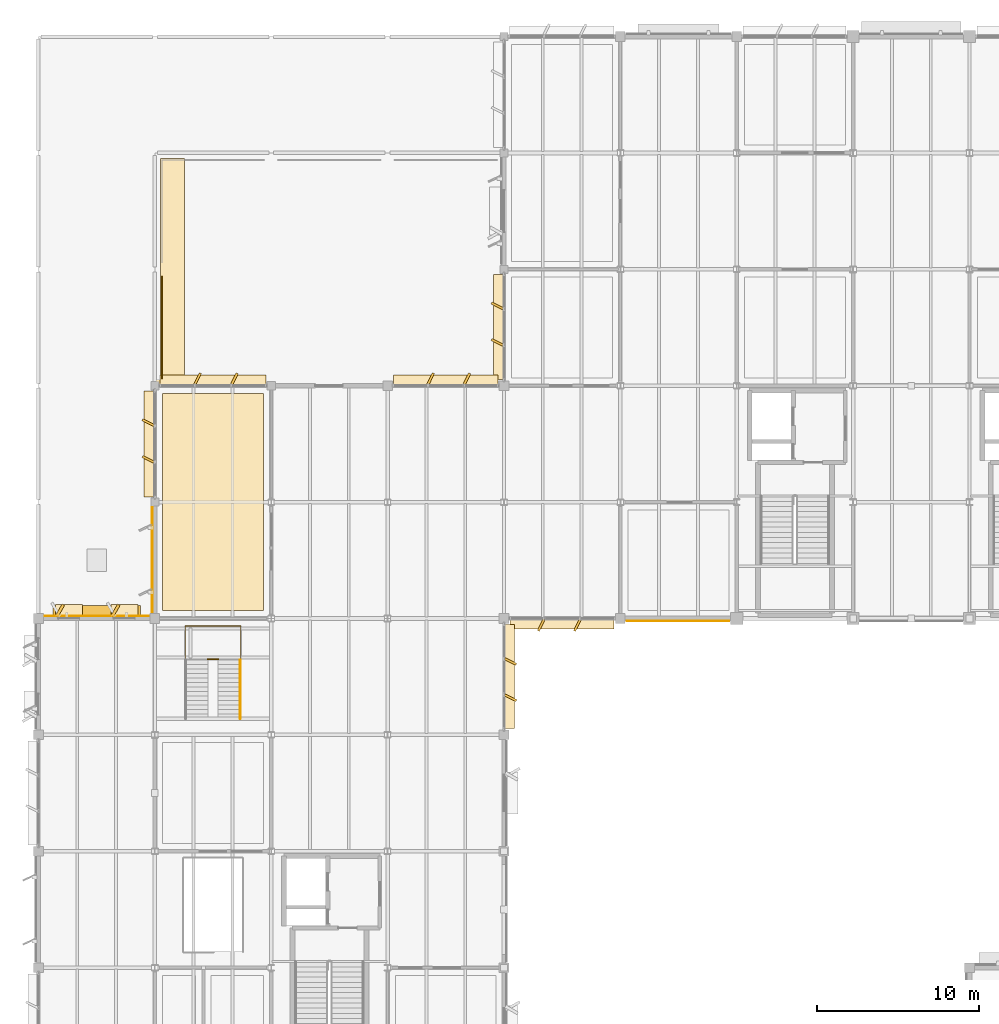
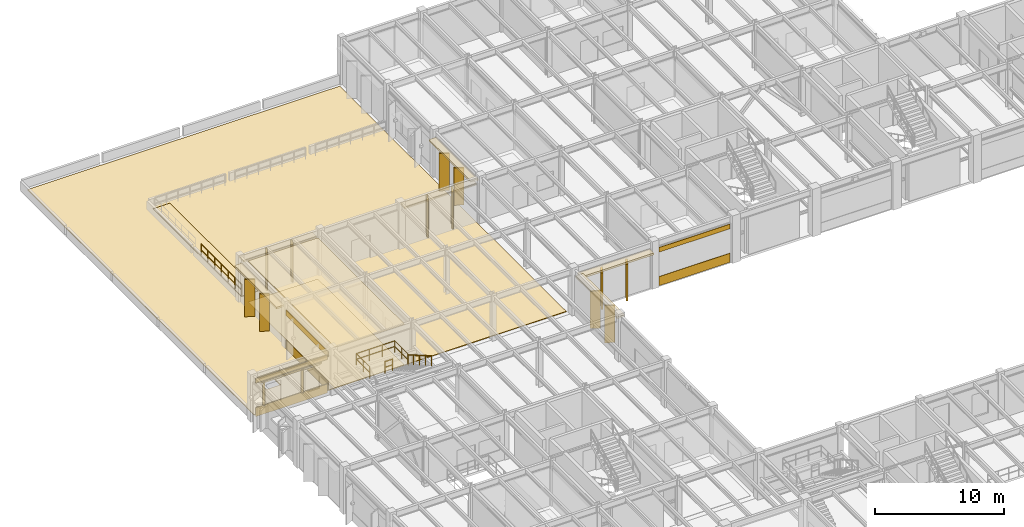
# One storey, part 86 of 92: 32 coverings, 4 railings, 1 shading device.
"""IFC4 building model written with IfcOpenShell, lengths in metres."""

from ifc_helpers import new_model, si_unit, direction, frame, frame_2d, origin, origin_2d, place, context, subcontext, project, spatial, polyline, rectangle, circle, outline, extrude, material, layer, layer_set, type_object, element, save


model = new_model("IFC4")

# Units and contexts
model_context = context("Model", 3, precision=1e-05, world=origin(), true_north=direction((0.0, 1.0)))
body_context = subcontext(model_context, "Body", "Model", "MODEL_VIEW")
ifc_project = project(units=[si_unit("LENGTHUNIT", "METRE"), si_unit("AREAUNIT", "SQUARE_METRE"), si_unit("VOLUMEUNIT", "CUBIC_METRE"), si_unit("PLANEANGLEUNIT", "RADIAN"), si_unit("MASSUNIT", "GRAM", prefix="KILO")], contexts=[model_context])

# Site, building, storey
site_placement = place(None, origin())
site = spatial("IfcSite", under=ifc_project, at=site_placement, CompositionType="ELEMENT")
building_placement = place(site_placement, origin())
building = spatial("IfcBuilding", under=site, at=building_placement, Name="Sillqori Civic Hall", CompositionType="ELEMENT")
storey_placement = place(building_placement, frame((0.0, 0.0, 5.39990234375)))
storey = spatial("IfcBuildingStorey", under=building, at=storey_placement, Name="L02", CompositionType="ELEMENT", Elevation=5.39990234375)

# Coverings
ifc_material_1 = material(Name="Acoustic Wool Metal Plank 76", Category="aluminium")
ifc_layer_1 = layer(ifc_material_1, 0.075927734375)
ifc_layer_set_1 = layer_set([ifc_layer_1], Name="Acoustic Wool Metal Plank 76")
covering_type_1 = type_object("IfcCoveringType", Name="COV-CEIL-M76", PredefinedType="CEILING", material=ifc_layer_set_1)
covering_1_placement = place(storey_placement, frame((0.0, 0.0, 3.8251953125)))
element("IfcCovering", 1, at=covering_1_placement, inside=storey, type_object=covering_type_1, Name="Urban Mobility and Transport Directorate acoustic ceiling", PredefinedType="CEILING", context=body_context, shape_type="SweptSolid", body=[
    extrude(outline(polyline([(14.8798828125, 79.679931640625), (21.1201171875, 79.679931640625), (21.1201171875, 93.1201171875), (14.8798828125, 93.1201171875), (14.8798828125, 79.679931640625)])), origin(), (0.0, 0.0, 1.0), 0.075927734375),
])
ifc_material_2 = material(Name="Cochabamba Honed Limestone Cladding", Category="masonry")
ifc_layer_2 = layer(ifc_material_2, 0.044921875)
ifc_layer_set_2 = layer_set([ifc_layer_2], Name="Cochabamba Honed Limestone Cladding")
covering_type_2 = type_object("IfcCoveringType", Name="COV-CLAD-LIME", PredefinedType="CLADDING", material=ifc_layer_set_2)
covering_2_placement = place(storey_placement, frame((7.580078125, 79.35009765625, 0.0400390625), z_axis=(0.0, 0.0, 1.0), x_axis=(1.0, 0.0, 0.0)))
element("IfcCovering", 2, at=covering_2_placement, inside=storey, type_object=covering_type_2, Name="L02 limestone spandrel cladding L02-01-10-N", PredefinedType="CLADDING", context=body_context, shape_type="SweptSolid", body=[
    extrude(rectangle(XDim=6.43994140625, YDim=0.044921875, at=frame_2d((3.219970703125, 0.0))), origin(), (0.0, 0.0, 1.0), 0.860107421875),
])
covering_3_placement = place(storey_placement, frame((7.580078125, 79.35009765625, 3.22021484375), z_axis=(0.0, 0.0, 1.0), x_axis=(1.0, 0.0, 0.0)))
element("IfcCovering", 3, at=covering_3_placement, inside=storey, type_object=covering_type_2, Name="L02 limestone frieze cladding L02-01-10-N", PredefinedType="CLADDING", context=body_context, shape_type="SweptSolid", body=[
    extrude(rectangle(XDim=6.43994140625, YDim=0.044921875, at=frame_2d((3.219970703125, 0.0))), origin(), (0.0, 0.0, 1.0), 0.43798828125),
])
covering_4_placement = place(storey_placement, frame((8.31396484375, 79.31005859375, 0.830078125), z_axis=(0.0, 0.0, 1.0), x_axis=(0.500062241894, 0.865989465428, 0.0)))
element("IfcCovering", 4, at=covering_4_placement, inside=storey, type_object=covering_type_2, Name="Sawtooth limestone angled reveal cheek L02-01-10-N.1", PredefinedType="CLADDING", context=body_context, shape_type="SweptSolid", body=[
    extrude(rectangle(XDim=0.85009765625, YDim=0.179931640625, at=frame_2d((0.425048828125, 0.0))), origin(), (0.0, 0.0, 1.0), 2.300048828125),
])
covering_5_placement = place(storey_placement, frame((8.25390625, 79.68994140625, 2.989990234375), z_axis=(0.0, 0.0, 1.0), x_axis=(1.0, 0.0, 0.0)))
element("IfcCovering", 5, at=covering_5_placement, inside=storey, type_object=covering_type_2, Name="Sawtooth limestone window hood L02-01-10-N.1", PredefinedType="CLADDING", context=body_context, shape_type="SweptSolid", body=[
    extrude(rectangle(XDim=1.66015625, YDim=0.780029296875, at=frame_2d((0.830078125, 0.0))), origin(), (0.0, 0.0, 1.0), 0.14013671875),
])
covering_6_placement = place(storey_placement, frame((11.74609375, 79.31005859375, 0.830078125), z_axis=(0.0, 0.0, 1.0), x_axis=(0.499846793097, 0.866113839764, 0.0)))
element("IfcCovering", 6, at=covering_6_placement, inside=storey, type_object=covering_type_2, Name="Sawtooth limestone angled reveal cheek L02-01-10-N.2", PredefinedType="CLADDING", context=body_context, shape_type="SweptSolid", body=[
    extrude(rectangle(XDim=0.849853515625, YDim=0.179931640625, at=frame_2d((0.4248046875, 0.0))), origin(), (0.0, 0.0, 1.0), 2.300048828125),
])
covering_7_placement = place(storey_placement, frame((11.68603515625, 79.68994140625, 2.989990234375), z_axis=(0.0, 0.0, 1.0), x_axis=(1.0, 0.0, 0.0)))
element("IfcCovering", 7, at=covering_7_placement, inside=storey, type_object=covering_type_2, Name="Sawtooth limestone window hood L02-01-10-N.2", PredefinedType="CLADDING", context=body_context, shape_type="SweptSolid", body=[
    extrude(rectangle(XDim=1.659912109375, YDim=0.780029296875, at=frame_2d((0.830078125, 0.0))), origin(), (0.0, 0.0, 1.0), 0.14013671875),
])
covering_8_placement = place(storey_placement, frame((14.239990234375, 79.580078125, 0.0400390625), z_axis=(0.0, 0.0, 1.0), x_axis=(0.0, 1.0, 0.0)))
element("IfcCovering", 8, at=covering_8_placement, inside=storey, type_object=covering_type_2, Name="L02 limestone spandrel cladding L02-02-11-W", PredefinedType="CLADDING", context=body_context, shape_type="SweptSolid", body=[
    extrude(rectangle(XDim=6.489990234375, YDim=0.044921875, at=frame_2d((3.2451171875, 0.0))), origin(), (0.0, 0.0, 1.0), 0.860107421875),
])
covering_9_placement = place(storey_placement, frame((14.239990234375, 79.580078125, 3.22021484375), z_axis=(0.0, 0.0, 1.0), x_axis=(0.0, 1.0, 0.0)))
element("IfcCovering", 9, at=covering_9_placement, inside=storey, type_object=covering_type_2, Name="L02 limestone frieze cladding L02-02-11-W", PredefinedType="CLADDING", context=body_context, shape_type="SweptSolid", body=[
    extrude(rectangle(XDim=6.489990234375, YDim=0.044921875, at=frame_2d((3.2451171875, 0.0))), origin(), (0.0, 0.0, 1.0), 0.5068359375),
])
covering_10_placement = place(storey_placement, frame((14.72998046875, 93.919921875, 3.51806640625), z_axis=(0.0, 0.0, 1.0), x_axis=(1.0, 0.0, 0.0)))
element("IfcCovering", 10, at=covering_10_placement, inside=storey, type_object=covering_type_2, Name="L02 curtain-wall limestone solar hood L02-02-12-N", PredefinedType="CLADDING", context=body_context, shape_type="SweptSolid", body=[
    extrude(rectangle(XDim=6.5400390625, YDim=0.679931640625, at=frame_2d((3.27001953125, 0.0))), origin(), (0.0, 0.0, 1.0), 0.179931640625),
])
for number, where, z_axis, x_axis, name in (
    (11, (16.861083984375, 93.64990234375, 0.06005859375), (0.0, 0.0, 1.0), (0.44697098964, 0.894548452807, 0.0), "L02 curtain-wall angled stone fin L02-02-12-N.1"),
    (12, (19.138916015625, 93.64990234375, 0.06005859375), (0.0, 0.0, 1.0), (0.4472135955, 0.894427191, 0.0), "L02 curtain-wall angled stone fin L02-02-12-N.2"),
):
    element("IfcCovering", number, at=place(storey_placement, frame(where, z_axis=z_axis, x_axis=x_axis)), inside=storey, type_object=covering_type_2, Name=name, PredefinedType="CLADDING", context=body_context, shape_type="SweptSolid", body=[
        extrude(rectangle(XDim=0.80517578125, YDim=0.139892578125, at=frame_2d((0.402587890625, 0.0))), origin(), (0.0, 0.0, 1.0), 3.4580078125),
    ])
covering_11_placement = place(storey_placement, frame((14.080078125, 86.72998046875, 3.587158203125), z_axis=(0.0, 0.0, 1.0), x_axis=(0.0, 1.0, 0.0)))
element("IfcCovering", 13, at=covering_11_placement, inside=storey, type_object=covering_type_2, Name="L02 curtain-wall limestone solar hood L02-02-12-W", PredefinedType="CLADDING", context=body_context, shape_type="SweptSolid", body=[
    extrude(rectangle(XDim=6.5400390625, YDim=0.679931640625, at=frame_2d((3.27001953125, 0.0))), origin(), (0.0, 0.0, 1.0), 0.179931640625),
])
for number, where, z_axis, x_axis, name in (
    (14, (14.35009765625, 88.861083984375, 0.06005859375), (0.0, 0.0, 1.0), (-0.894548452807, 0.44697098964, 0.0), "L02 curtain-wall angled stone fin L02-02-12-W.1"),
    (15, (14.35009765625, 91.138916015625, 0.06005859375), (0.0, 0.0, 1.0), (-0.894427191, 0.4472135955, 0.0), "L02 curtain-wall angled stone fin L02-02-12-W.2"),
):
    element("IfcCovering", number, at=place(storey_placement, frame(where, z_axis=z_axis, x_axis=x_axis)), inside=storey, type_object=covering_type_2, Name=name, PredefinedType="CLADDING", context=body_context, shape_type="SweptSolid", body=[
        extrude(rectangle(XDim=0.80517578125, YDim=0.139892578125, at=frame_2d((0.402587890625, 0.0))), origin(), (0.0, 0.0, 1.0), 3.527099609375),
    ])
covering_12_placement = place(storey_placement, frame((36.320068359375, 78.820068359375, 3.587158203125), z_axis=(0.0, 0.0, 1.0), x_axis=(0.0, -1.0, 0.0)))
element("IfcCovering", 16, at=covering_12_placement, inside=storey, type_object=covering_type_2, Name="L02 curtain-wall limestone solar hood L02-04-10-E", PredefinedType="CLADDING", context=body_context, shape_type="SweptSolid", body=[
    extrude(rectangle(XDim=6.440185546875, YDim=0.679931640625, at=frame_2d((3.22021484375, 0.0))), origin(), (0.0, 0.0, 1.0), 0.179931640625),
])
for number, where, z_axis, x_axis, name in (
    (17, (36.050048828125, 76.721923828125, 0.06005859375), (0.0, 0.0, 1.0), (0.894487846579, -0.44709226377, 0.0), "L02 curtain-wall angled stone fin L02-04-10-E.1"),
    (18, (36.050048828125, 74.47802734375, 0.06005859375), (0.0, 0.0, 1.0), (0.894366527193, -0.447334902547, 0.0), "L02 curtain-wall angled stone fin L02-04-10-E.2"),
):
    element("IfcCovering", number, at=place(storey_placement, frame(where, z_axis=z_axis, x_axis=x_axis)), inside=storey, type_object=covering_type_2, Name=name, PredefinedType="CLADDING", context=body_context, shape_type="SweptSolid", body=[
        extrude(rectangle(XDim=0.804931640625, YDim=0.139892578125, at=frame_2d((0.40234375, 0.0))), origin(), (0.0, 0.0, 1.0), 3.527099609375),
    ])
covering_13_placement = place(storey_placement, frame((29.179931640625, 93.919921875, 3.51806640625), z_axis=(0.0, 0.0, 1.0), x_axis=(1.0, 0.0, 0.0)))
element("IfcCovering", 19, at=covering_13_placement, inside=storey, type_object=covering_type_2, Name="L02 curtain-wall limestone solar hood L02-04-12-N", PredefinedType="CLADDING", context=body_context, shape_type="SweptSolid", body=[
    extrude(rectangle(XDim=6.440185546875, YDim=0.679931640625, at=frame_2d((3.22021484375, 0.0))), origin(), (0.0, 0.0, 1.0), 0.179931640625),
])
for number, where, z_axis, x_axis, name in (
    (20, (31.278076171875, 93.64990234375, 0.06005859375), (0.0, 0.0, 1.0), (0.44697098964, 0.894548452807, 0.0), "L02 curtain-wall angled stone fin L02-04-12-N.1"),
    (21, (33.52197265625, 93.64990234375, 0.06005859375), (0.0, 0.0, 1.0), (0.4472135955, 0.894427191, 0.0), "L02 curtain-wall angled stone fin L02-04-12-N.2"),
):
    element("IfcCovering", number, at=place(storey_placement, frame(where, z_axis=z_axis, x_axis=x_axis)), inside=storey, type_object=covering_type_2, Name=name, PredefinedType="CLADDING", context=body_context, shape_type="SweptSolid", body=[
        extrude(rectangle(XDim=0.80517578125, YDim=0.139892578125, at=frame_2d((0.402587890625, 0.0))), origin(), (0.0, 0.0, 1.0), 3.4580078125),
    ])
covering_14_placement = place(storey_placement, frame((42.820068359375, 78.8798828125, 3.51806640625), z_axis=(0.0, 0.0, 1.0), x_axis=(-1.0, 0.0, 0.0)))
element("IfcCovering", 22, at=covering_14_placement, inside=storey, type_object=covering_type_2, Name="L02 curtain-wall limestone solar hood L02-05-11-S", PredefinedType="CLADDING", context=body_context, shape_type="SweptSolid", body=[
    extrude(rectangle(XDim=6.440185546875, YDim=0.679931640625, at=frame_2d((3.22021484375, 0.0))), origin(), (0.0, 0.0, 1.0), 0.179931640625),
])
for number, where, z_axis, x_axis, name in (
    (23, (40.721923828125, 79.14990234375, 0.06005859375), (0.0, 0.0, 1.0), (-0.44709226377, -0.894487846579, 0.0), "L02 curtain-wall angled stone fin L02-05-11-S.1"),
    (24, (38.47802734375, 79.14990234375, 0.06005859375), (0.0, 0.0, 1.0), (-0.447334902547, -0.894366527193, 0.0), "L02 curtain-wall angled stone fin L02-05-11-S.2"),
):
    element("IfcCovering", number, at=place(storey_placement, frame(where, z_axis=z_axis, x_axis=x_axis)), inside=storey, type_object=covering_type_2, Name=name, PredefinedType="CLADDING", context=body_context, shape_type="SweptSolid", body=[
        extrude(rectangle(XDim=0.804931640625, YDim=0.139892578125, at=frame_2d((0.40234375, 0.0))), origin(), (0.0, 0.0, 1.0), 3.4580078125),
    ])
covering_15_placement = place(storey_placement, frame((35.679931640625, 93.97998046875, 3.587158203125), z_axis=(0.0, 0.0, 1.0), x_axis=(0.0, 1.0, 0.0)))
element("IfcCovering", 25, at=covering_15_placement, inside=storey, type_object=covering_type_2, Name="L02 curtain-wall limestone solar hood L02-05-13-W", PredefinedType="CLADDING", context=body_context, shape_type="SweptSolid", body=[
    extrude(rectangle(XDim=6.489990234375, YDim=0.679931640625, at=frame_2d((3.2451171875, 0.0))), origin(), (0.0, 0.0, 1.0), 0.179931640625),
])
for number, where, z_axis, x_axis, name in (
    (26, (35.949951171875, 96.094482421875, 0.06005859375), (0.0, 0.0, 1.0), (-0.894366527193, 0.447334902547, 0.0), "L02 curtain-wall angled stone fin L02-05-13-W.1"),
    (27, (35.949951171875, 98.35546875, 0.06005859375), (0.0, 0.0, 1.0), (-0.894366527193, 0.447334902547, 0.0), "L02 curtain-wall angled stone fin L02-05-13-W.2"),
):
    element("IfcCovering", number, at=place(storey_placement, frame(where, z_axis=z_axis, x_axis=x_axis)), inside=storey, type_object=covering_type_2, Name=name, PredefinedType="CLADDING", context=body_context, shape_type="SweptSolid", body=[
        extrude(rectangle(XDim=0.804931640625, YDim=0.139892578125, at=frame_2d((0.40234375, 0.0))), origin(), (0.0, 0.0, 1.0), 3.527099609375),
    ])
covering_16_placement = place(storey_placement, frame((49.945068359375, 79.0400390625, 0.0400390625), z_axis=(0.0, 0.0, 1.0), x_axis=(-1.0, 0.0, 0.0)))
element("IfcCovering", 28, at=covering_16_placement, inside=storey, type_object=covering_type_2, Name="L02 limestone spandrel cladding L02-06-11-S", PredefinedType="CLADDING", context=body_context, shape_type="SweptSolid", body=[
    extrude(rectangle(XDim=6.364990234375, YDim=0.044921875, at=frame_2d((3.1826171875, 0.0))), origin(), (0.0, 0.0, 1.0), 0.860107421875),
])
covering_17_placement = place(storey_placement, frame((49.945068359375, 79.0400390625, 3.22021484375), z_axis=(0.0, 0.0, 1.0), x_axis=(-1.0, 0.0, 0.0)))
element("IfcCovering", 29, at=covering_17_placement, inside=storey, type_object=covering_type_2, Name="L02 limestone frieze cladding L02-06-11-S", PredefinedType="CLADDING", context=body_context, shape_type="SweptSolid", body=[
    extrude(rectangle(XDim=6.364990234375, YDim=0.044921875, at=frame_2d((3.1826171875, 0.0))), origin(), (0.0, 0.0, 1.0), 0.43798828125),
])
ifc_material_3 = material(Name="Seamless Polyurethane Acoustic Screed 12", Category="resin")
ifc_layer_3 = layer(ifc_material_3, 0.011962890625)
ifc_layer_set_3 = layer_set([ifc_layer_3], Name="Seamless Polyurethane Acoustic Screed 12")
covering_type_3 = type_object("IfcCoveringType", Name="COV-FLR-R12", PredefinedType="FLOORING", material=ifc_layer_set_3)
covering_18_placement = place(storey_placement, origin())
element("IfcCovering", 30, at=covering_18_placement, inside=storey, type_object=covering_type_3, Name="Urban Mobility and Transport Directorate floor finish", PredefinedType="FLOORING", context=body_context, shape_type="SweptSolid", body=[
    extrude(outline(polyline([(14.8798828125, 79.679931640625), (21.1201171875, 79.679931640625), (21.1201171875, 93.1201171875), (14.8798828125, 93.1201171875), (14.8798828125, 79.679931640625)])), origin(), (0.0, 0.0, 1.0), 0.01220703125),
])
ifc_material_4 = material(Name="Extensive Andean Sedum Roof Substrate", Category="earth")
ifc_layer_4 = layer(ifc_material_4, 0.080078125)
ifc_layer_set_4 = layer_set([ifc_layer_4], Name="Extensive Andean Sedum Roof Substrate")
covering_type_4 = type_object("IfcCoveringType", Name="COV-ROOF-GRN", PredefinedType="ROOFING", material=ifc_layer_set_4)
covering_19_placement = place(storey_placement, origin())
element("IfcCovering", 31, at=covering_19_placement, inside=storey, type_object=covering_type_4, Name="North-West Piedmont Planted Terrace planted planter bed", PredefinedType="ROOFING", context=body_context, shape_type="SweptSolid", body=[
    extrude(outline(polyline([(14.75, 93.949951171875), (16.25, 93.949951171875), (16.25, 107.64990234375), (14.75, 107.64990234375), (14.75, 93.949951171875)])), origin(), (0.0, 0.0, 1.0), 0.080078125),
])
ifc_material_5 = material(Name="Insulated Standing-Seam Solar Roof Membrane", Category="membrane")
ifc_layer_5 = layer(ifc_material_5, 0.054931640625)
ifc_layer_set_5 = layer_set([ifc_layer_5], Name="Insulated Standing-Seam Solar Roof Membrane")
covering_type_5 = type_object("IfcCoveringType", Name="COV-ROOF-TPO", PredefinedType="ROOFING", material=ifc_layer_set_5)
covering_20_placement = place(storey_placement, origin())
element("IfcCovering", 32, at=covering_20_placement, inside=storey, type_object=covering_type_5, Name="L02 insulated TPO roof membrane ROOF-FLAT-L01-2", PredefinedType="ROOFING", context=body_context, shape_type="SweptSolid", body=[
    extrude(outline(polyline([(7.60009765625, 79.60009765625), (35.60009765625, 79.60009765625), (35.60009765625, 114.800048828125), (7.60009765625, 114.800048828125), (7.60009765625, 79.60009765625)]), holes=[polyline([(10.199951171875, 82.10009765625), (10.199951171875, 83.5), (11.39990234375, 83.5), (11.39990234375, 82.10009765625), (10.199951171875, 82.10009765625)])]), origin(), (0.0, 0.0, 1.0), 0.05517578125),
])

# Railings
ifc_material_6 = material(Name="Architectural Bronze and Tempered Glass Balustrade", Category="glass")
ifc_layer_6 = layer(ifc_material_6, 0.080078125)
ifc_layer_set_6 = layer_set([ifc_layer_6], Name="Architectural Bronze and Tempered Glass Balustrade")
railing_type_1 = type_object("IfcRailingType", Name="RLG-BALU-115", PredefinedType="BALUSTRADE", material=ifc_layer_set_6)
railing_1_placement = place(storey_placement, frame((14.840087890625, 94.0400390625, 0.0)))
element("IfcRailing", 33, at=railing_1_placement, inside=storey, type_object=railing_type_1, Name="North-West Piedmont Planted Terrace perimeter guard W-04", PredefinedType="BALUSTRADE", context=body_context, shape_type="SweptSolid", body=[
    extrude(circle(Radius=0.02392578125, at=origin_2d()), frame((0.0, 0.0, 1.1259765625), z_axis=(0.0, 1.0, 0.0), x_axis=(-1.0, 0.0, 0.0)), (0.0, 0.0, 1.0), 6.320068359375),
    extrude(circle(Radius=0.02392578125, at=origin_2d()), frame((0.0, 0.0, 0.574951171875), z_axis=(0.0, 1.0, 0.0), x_axis=(-1.0, 0.0, 0.0)), (0.0, 0.0, 1.0), 6.320068359375),
    extrude(circle(Radius=0.02099609375, at=origin_2d()), origin(), (0.0, 0.0, 1.0), 1.101806640625),
    extrude(circle(Radius=0.02099609375, at=origin_2d()), frame((0.0, 1.05322265625, 0.0)), (0.0, 0.0, 1.0), 1.101806640625),
    extrude(circle(Radius=0.02099609375, at=origin_2d()), frame((0.0, 2.106689453125, 0.0)), (0.0, 0.0, 1.0), 1.101806640625),
    extrude(circle(Radius=0.02099609375, at=origin_2d()), frame((0.0, 3.16015625, 0.0)), (0.0, 0.0, 1.0), 1.101806640625),
    extrude(circle(Radius=0.02099609375, at=origin_2d()), frame((0.0, 4.21337890625, 0.0)), (0.0, 0.0, 1.0), 1.101806640625),
    extrude(circle(Radius=0.02099609375, at=origin_2d()), frame((0.0, 5.2666015625, 0.0)), (0.0, 0.0, 1.0), 1.101806640625),
    extrude(circle(Radius=0.02099609375, at=origin_2d()), frame((0.0, 6.320068359375, 0.0)), (0.0, 0.0, 1.0), 1.101806640625),
])
ifc_material_7 = material(Name="Brushed Stainless Steel 316 Handrail", Category="steel")
ifc_layer_7 = layer(ifc_material_7, 0.044921875)
ifc_layer_set_7 = layer_set([ifc_layer_7], Name="Brushed Stainless Steel 316 Handrail")
railing_type_2 = type_object("IfcRailingType", Name="RLG-CORE-092", PredefinedType="HANDRAIL", material=ifc_layer_set_7)
railing_2_placement = place(storey_placement, frame((19.679931640625, 76.639892578125, 2.410888671875)))
element("IfcRailing", 34, at=railing_2_placement, inside=storey, type_object=railing_type_2, Name="West Committee Upper Stair L02-L03 handrail E", PredefinedType="HANDRAIL", context=body_context, shape_type="SweptSolid", body=[
    extrude(circle(Radius=0.02392578125, at=origin_2d()), frame((0.0, 0.0, 0.89599609375), z_axis=(0.0, -0.867300072446, 0.497785681127), x_axis=(1.0, 0.0, 0.0)), (0.0, 0.0, 1.0), 4.19677734375),
    extrude(circle(Radius=0.02099609375, at=origin_2d()), origin(), (0.0, 0.0, 1.0), 0.871826171875),
    extrude(circle(Radius=0.02099609375, at=origin_2d()), frame((0.0, -0.909912109375, 0.522216796875)), (0.0, 0.0, 1.0), 0.871826171875),
    extrude(circle(Radius=0.02099609375, at=origin_2d()), frame((0.0, -1.81982421875, 1.04443359375)), (0.0, 0.0, 1.0), 0.871826171875),
    extrude(circle(Radius=0.02099609375, at=origin_2d()), frame((0.0, -2.72998046875, 1.56689453125)), (0.0, 0.0, 1.0), 0.871826171875),
    extrude(circle(Radius=0.02099609375, at=origin_2d()), frame((0.0, -3.639892578125, 2.089111328125)), (0.0, 0.0, 1.0), 0.871826171875),
])
ifc_material_8 = material(Name="Stainless Steel 316 and Laminated Balustrade", Category="steel")
ifc_layer_8 = layer(ifc_material_8, 0.06005859375)
ifc_layer_set_8 = layer_set([ifc_layer_8], Name="Stainless Steel 316 and Laminated Balustrade")
railing_type_3 = type_object("IfcRailingType", Name="RLG-TERR-112", PredefinedType="GUARDRAIL", material=ifc_layer_set_8)
railing_3_placement = place(storey_placement, frame((16.280029296875, 76.639892578125, 2.25)))
element("IfcRailing", 35, at=railing_3_placement, inside=storey, type_object=railing_type_3, Name="West Committee Upper Stair L02-L03 half-landing guard", PredefinedType="GUARDRAIL", context=body_context, shape_type="SweptSolid", body=[
    extrude(circle(Radius=0.02392578125, at=origin_2d()), frame((0.0, 0.0, 1.09619140625), z_axis=(0.0, 1.0, 0.0), x_axis=(-1.0, 0.0, 0.0)), (0.0, 0.0, 1.0), 2.090087890625),
    extrude(circle(Radius=0.02392578125, at=origin_2d()), frame((0.0, 0.0, 0.56005859375), z_axis=(0.0, 1.0, 0.0), x_axis=(-1.0, 0.0, 0.0)), (0.0, 0.0, 1.0), 2.090087890625),
    extrude(circle(Radius=0.02392578125, at=origin_2d()), frame((0.0, 2.090087890625, 1.09619140625), z_axis=(1.0, 0.0, 0.0), x_axis=(0.0, 1.0, 0.0)), (0.0, 0.0, 1.0), 3.43994140625),
    extrude(circle(Radius=0.02392578125, at=origin_2d()), frame((0.0, 2.090087890625, 0.56005859375), z_axis=(1.0, 0.0, 0.0), x_axis=(0.0, 1.0, 0.0)), (0.0, 0.0, 1.0), 3.43994140625),
    extrude(circle(Radius=0.02392578125, at=origin_2d()), frame((3.43994140625, 2.090087890625, 1.09619140625), z_axis=(0.0, -1.0, 0.0), x_axis=(1.0, 0.0, 0.0)), (0.0, 0.0, 1.0), 2.090087890625),
    extrude(circle(Radius=0.02392578125, at=origin_2d()), frame((3.43994140625, 2.090087890625, 0.56005859375), z_axis=(0.0, -1.0, 0.0), x_axis=(1.0, 0.0, 0.0)), (0.0, 0.0, 1.0), 2.090087890625),
    extrude(circle(Radius=0.02099609375, at=origin_2d()), origin(), (0.0, 0.0, 1.0), 1.072021484375),
    extrude(circle(Radius=0.02099609375, at=origin_2d()), frame((0.0, 1.044921875, 0.0)), (0.0, 0.0, 1.0), 1.072021484375),
    extrude(circle(Radius=0.02099609375, at=origin_2d()), frame((0.0, 2.090087890625, 0.0)), (0.0, 0.0, 1.0), 1.072021484375),
    extrude(circle(Radius=0.02099609375, at=origin_2d()), frame((1.146728515625, 2.090087890625, 0.0)), (0.0, 0.0, 1.0), 1.072021484375),
    extrude(circle(Radius=0.02099609375, at=origin_2d()), frame((2.293212890625, 2.090087890625, 0.0)), (0.0, 0.0, 1.0), 1.072021484375),
    extrude(circle(Radius=0.02099609375, at=origin_2d()), frame((3.43994140625, 2.090087890625, 0.0)), (0.0, 0.0, 1.0), 1.072021484375),
    extrude(circle(Radius=0.02099609375, at=origin_2d()), frame((3.43994140625, 1.044921875, 0.0)), (0.0, 0.0, 1.0), 1.072021484375),
    extrude(circle(Radius=0.02099609375, at=origin_2d()), frame((3.43994140625, 0.0, 0.0)), (0.0, 0.0, 1.0), 1.072021484375),
])
railing_4_placement = place(storey_placement, frame((17.659912109375, 76.679931640625, 2.25)))
element("IfcRailing", 36, at=railing_4_placement, inside=storey, type_object=railing_type_3, Name="West Committee Upper Stair L02-L03 half-landing inner well guard", PredefinedType="GUARDRAIL", context=body_context, shape_type="SweptSolid", body=[
    extrude(circle(Radius=0.02392578125, at=origin_2d()), frame((0.0, 0.0, 1.09619140625), z_axis=(1.0, 0.0, 0.0), x_axis=(0.0, 1.0, 0.0)), (0.0, 0.0, 1.0), 0.68017578125),
    extrude(circle(Radius=0.02392578125, at=origin_2d()), frame((0.0, 0.0, 0.56005859375), z_axis=(1.0, 0.0, 0.0), x_axis=(0.0, 1.0, 0.0)), (0.0, 0.0, 1.0), 0.68017578125),
    extrude(circle(Radius=0.02099609375, at=origin_2d()), origin(), (0.0, 0.0, 1.0), 1.072021484375),
    extrude(circle(Radius=0.02099609375, at=origin_2d()), frame((0.68017578125, 0.0, 0.0)), (0.0, 0.0, 1.0), 1.072021484375),
])

# Shading device
ifc_material_9 = material(Name="Anodized Aluminium Solar Control Louvre", Category="aluminium")
shading_device_type = type_object("IfcShadingDeviceType", Name="SHD-HOOD-540", PredefinedType="JALOUSIE", material=ifc_material_9)
shading_device_placement = place(storey_placement, frame((10.800048828125, 79.6650390625, 3.02001953125), z_axis=(0.0, 0.0, 1.0), x_axis=(1.0, 0.0, 0.0)))
element("IfcShadingDevice", 37, at=shading_device_placement, inside=storey, type_object=shading_device_type, Name="L02 north solar hood L02-01-10-N", PredefinedType="JALOUSIE", context=body_context, shape_type="SweptSolid", body=[
    extrude(rectangle(XDim=5.39990234375, YDim=0.699951171875, at=origin_2d()), origin(), (0.0, 0.0, 1.0), 0.139892578125),
])

save(model, "model.ifc")
